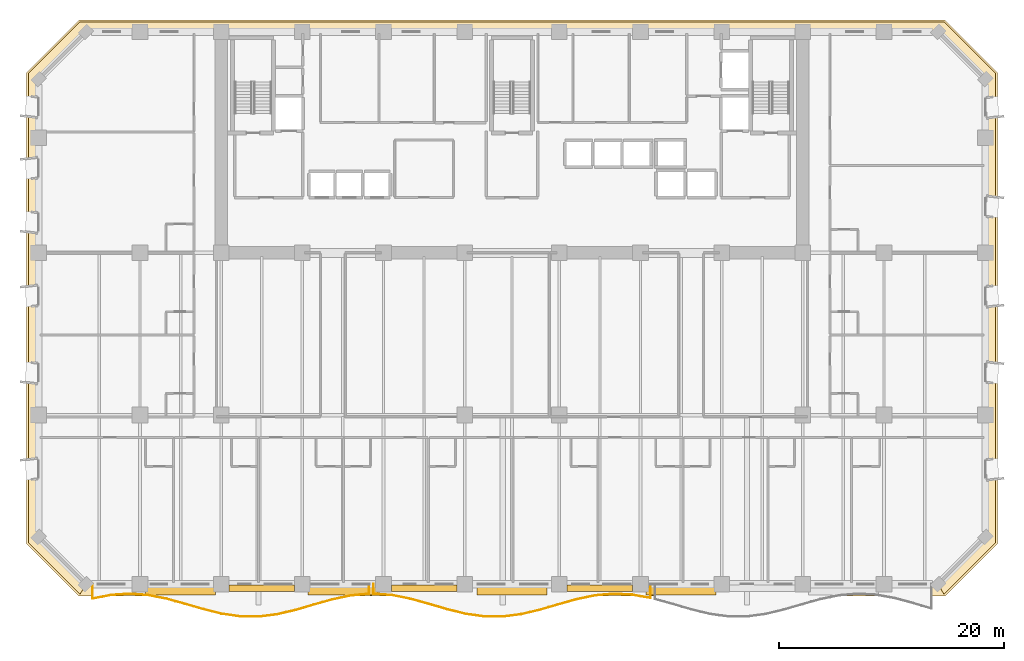
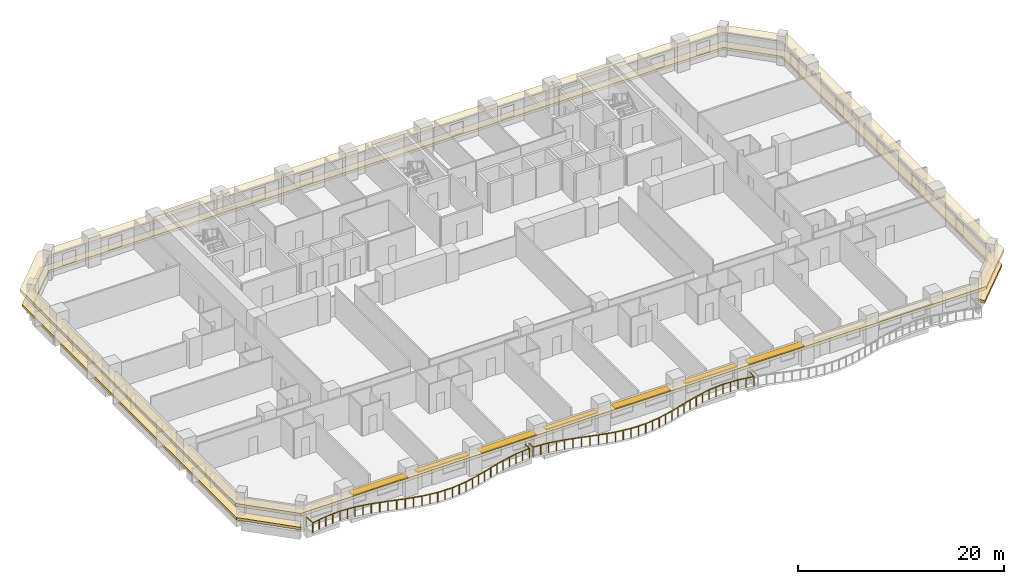
# One storey, part 12 of 15: 7 shading devices, 2 coverings, 2 railings.
"""IFC4 building model written with IfcOpenShell, lengths in metres."""

from ifc_helpers import new_model, si_unit, direction, frame, origin, origin_2d, place, context, subcontext, project, spatial, polyline, rectangle, outline, extrude, material, layer, layer_set, type_object, element, save


model = new_model("IFC4")

# Units and contexts
model_context = context("Model", 3, precision=1e-05, world=origin(), true_north=direction((0.0, 1.0)))
body_context = subcontext(model_context, "Body", "Model", "MODEL_VIEW")
ifc_project = project(units=[si_unit("LENGTHUNIT", "METRE"), si_unit("AREAUNIT", "SQUARE_METRE"), si_unit("VOLUMEUNIT", "CUBIC_METRE"), si_unit("PLANEANGLEUNIT", "RADIAN"), si_unit("MASSUNIT", "GRAM", prefix="KILO")], contexts=[model_context])

# Site, building, storey
site_placement = place(None, origin())
site = spatial("IfcSite", under=ifc_project, at=site_placement, CompositionType="ELEMENT")
building_placement = place(site_placement, origin())
building = spatial("IfcBuilding", under=site, at=building_placement, Name="Kaelvorn Grand Hotel", CompositionType="ELEMENT")
storey_placement = place(building_placement, frame((0.0, 0.0, 61.39990234375)))
storey = spatial("IfcBuildingStorey", under=building, at=storey_placement, Name="L13", CompositionType="ELEMENT", Elevation=61.39990234375)

# Coverings
ifc_material_1 = material(Name="Precast concrete C45/55", Category="concrete")
ifc_layer_1 = layer(ifc_material_1, 0.260009765625)
ifc_layer_set_1 = layer_set([ifc_layer_1], Name="Precast concrete C45/55")
covering_type_1 = type_object("IfcCoveringType", Name="COV-BAND-STREAMLINE-HEAD", PredefinedType="CLADDING", material=ifc_layer_set_1)
covering_1_placement = place(storey_placement, frame((0.0, 0.0, 2.18017578125)))
element("IfcCovering", 1, at=covering_1_placement, inside=storey, type_object=covering_type_1, Name="L13 Streamline Moderne Wraparound Horizontal Eyebrow Band", PredefinedType="CLADDING", context=body_context, shape_type="SweptSolid", body=[
    extrude(outline(polyline([(3.590087890625, -1.050048828125), (80.409912109375, -1.050048828125), (85.050048828125, 3.590087890625), (85.050048828125, 45.409912109375), (80.409912109375, 50.050048828125), (3.590087890625, 50.050048828125), (-1.050048828125, 45.409912109375), (-1.050048828125, 3.590087890625), (3.590087890625, -1.050048828125)]), holes=[polyline([(4.219970703125, 0.030029296875), (79.780029296875, 0.030029296875), (83.969970703125, 4.219970703125), (83.969970703125, 44.780029296875), (79.780029296875, 48.969970703125), (4.219970703125, 48.969970703125), (0.030029296875, 44.780029296875), (0.030029296875, 4.219970703125), (4.219970703125, 0.030029296875)])]), origin(), (0.0, 0.0, 1.0), 0.35986328125),
])
ifc_layer_2 = layer(ifc_material_1, 0.219970703125)
ifc_layer_set_2 = layer_set([ifc_layer_2], Name="Precast concrete C45/55")
covering_type_2 = type_object("IfcCoveringType", Name="COV-BAND-STREAMLINE-SILL", PredefinedType="CLADDING", material=ifc_layer_set_2)
covering_2_placement = place(storey_placement, frame((0.0, 0.0, 0.4501953125)))
element("IfcCovering", 2, at=covering_2_placement, inside=storey, type_object=covering_type_2, Name="L13 Streamline Moderne Wraparound Horizontal Sill Spandrel Band", PredefinedType="CLADDING", context=body_context, shape_type="SweptSolid", body=[
    extrude(outline(polyline([(80.3154296875, -0.8798828125), (84.8798828125, 3.6845703125), (84.8798828125, 45.3154296875), (80.3154296875, 49.8798828125), (3.6845703125, 49.8798828125), (-0.8798828125, 45.3154296875), (-0.8798828125, 3.6845703125), (3.6845703125, -0.8798828125), (4.217529296875, 0.030029296875), (0.030029296875, 4.217529296875), (0.030029296875, 44.782470703125), (4.217529296875, 48.969970703125), (79.782470703125, 48.969970703125), (83.969970703125, 44.782470703125), (83.969970703125, 4.217529296875), (79.782470703125, 0.030029296875), (80.3154296875, -0.8798828125)])), origin(), (0.0, 0.0, 1.0), 0.2998046875),
])

# Railings
ifc_material_2 = material(Name="Stainless Steel", Category="steel")
railing_type = type_object("IfcRailingType", Name="RL-BALC-1150", PredefinedType="BALUSTRADE", material=ifc_material_2)
railing_1_placement = place(storey_placement, frame((4.800048828125, 0.0, 0.0)))
element("IfcRailing", 3, at=railing_1_placement, inside=storey, type_object=railing_type, Name="L13 Scalloped Wave Balcony Balustrade GR1-1", PredefinedType="BALUSTRADE", context=body_context, shape_type="SweptSolid", body=[
    extrude(rectangle(XDim=0.048095703125, YDim=0.048095703125, at=origin_2d()), frame((0.0, 0.0, 1.1259765625), z_axis=(0.0, -1.0, 0.0), x_axis=(1.0, 0.0, 0.0)), (0.0, 0.0, 1.0), 1.2724609375),
    extrude(rectangle(XDim=0.048095703125, YDim=0.048095703125, at=origin_2d()), frame((0.0, -1.2724609375, 1.1259765625), z_axis=(0.982203562984, 0.1878194901, 0.0), x_axis=(-0.1878194901, 0.982203562984, 0.0)), (0.0, 0.0, 1.0), 1.6650390625),
    extrude(rectangle(XDim=0.048095703125, YDim=0.048095703125, at=origin_2d()), frame((1.635498046875, -0.959716796875, 1.1259765625), z_axis=(0.997761369143, 0.066874885019, 0.0), x_axis=(-0.066874885019, 0.997761369143, 0.0)), (0.0, 0.0, 1.0), 1.63916015625),
    extrude(rectangle(XDim=0.048095703125, YDim=0.048095703125, at=origin_2d()), frame((3.27099609375, -0.85009765625, 1.1259765625), z_axis=(0.997411632493, -0.071902957984, 0.0), x_axis=(0.071902957984, 0.997411632493, 0.0)), (0.0, 0.0, 1.0), 1.639892578125),
    extrude(rectangle(XDim=0.048095703125, YDim=0.048095703125, at=origin_2d()), frame((4.90673828125, -0.968017578125, 1.1259765625), z_axis=(0.981438838615, -0.191775405247, 0.0), x_axis=(0.191775405247, 0.981438838615, 0.0)), (0.0, 0.0, 1.0), 1.66650390625),
    extrude(rectangle(XDim=0.048095703125, YDim=0.048095703125, at=origin_2d()), frame((6.542236328125, -1.28759765625, 1.1259765625), z_axis=(0.96417686915, -0.265260183586, 0.0), x_axis=(0.265260183586, 0.96417686915, 0.0)), (0.0, 0.0, 1.0), 1.6962890625),
    extrude(rectangle(XDim=0.048095703125, YDim=0.048095703125, at=origin_2d()), frame((8.177734375, -1.737548828125, 1.1259765625), z_axis=(0.959454398454, -0.281863898516, 0.0), x_axis=(0.281863898516, 0.959454398454, 0.0)), (0.0, 0.0, 1.0), 1.70458984375),
    extrude(rectangle(XDim=0.048095703125, YDim=0.048095703125, at=origin_2d()), frame((9.813232421875, -2.218017578125, 1.1259765625), z_axis=(0.970778455787, -0.239977477651, 0.0), x_axis=(0.239977477651, 0.970778455787, 0.0)), (0.0, 0.0, 1.0), 1.684814453125),
    extrude(rectangle(XDim=0.048095703125, YDim=0.048095703125, at=origin_2d()), frame((11.44873046875, -2.622314453125, 1.1259765625), z_axis=(0.98955581649, -0.144150220432, 0.0), x_axis=(0.144150220432, 0.98955581649, 0.0)), (0.0, 0.0, 1.0), 1.653076171875),
    extrude(rectangle(XDim=0.048095703125, YDim=0.048095703125, at=origin_2d()), frame((13.08447265625, -2.860595703125, 1.1259765625), z_axis=(0.999928700978, -0.011941229449, 0.0), x_axis=(0.011941229449, 0.999928700978, 0.0)), (0.0, 0.0, 1.0), 1.635498046875),
    extrude(rectangle(XDim=0.048095703125, YDim=0.048095703125, at=origin_2d()), frame((14.719970703125, -2.880126953125, 1.1259765625), z_axis=(0.992302924099, 0.123834190856, 0.0), x_axis=(-0.123834190856, 0.992302924099, 0.0)), (0.0, 0.0, 1.0), 1.648193359375),
    extrude(rectangle(XDim=0.048095703125, YDim=0.048095703125, at=origin_2d()), frame((16.35546875, -2.676025390625, 1.1259765625), z_axis=(0.973844426508, 0.227215829024, 0.0), x_axis=(-0.227215829024, 0.973844426508, 0.0)), (0.0, 0.0, 1.0), 1.679443359375),
    extrude(rectangle(XDim=0.048095703125, YDim=0.048095703125, at=origin_2d()), frame((17.990966796875, -2.29443359375, 1.1259765625), z_axis=(0.960314032901, 0.278921060899, 0.0), x_axis=(-0.278921060899, 0.960314032901, 0.0)), (0.0, 0.0, 1.0), 1.703369140625),
    extrude(rectangle(XDim=0.048095703125, YDim=0.048095703125, at=origin_2d()), frame((19.626708984375, -1.8193359375, 1.1259765625), z_axis=(0.962241545122, 0.272197003733, 0.0), x_axis=(-0.272197003733, 0.962241545122, 0.0)), (0.0, 0.0, 1.0), 1.69970703125),
    extrude(rectangle(XDim=0.048095703125, YDim=0.048095703125, at=origin_2d()), frame((21.26220703125, -1.356689453125, 1.1259765625), z_axis=(0.978174805455, 0.207783661466, 0.0), x_axis=(-0.207783661466, 0.978174805455, 0.0)), (0.0, 0.0, 1.0), 1.671875),
    extrude(rectangle(XDim=0.048095703125, YDim=0.048095703125, at=origin_2d()), frame((22.897705078125, -1.00927734375, 1.1259765625), z_axis=(0.995523480824, 0.09451454453, 0.0), x_axis=(-0.09451454453, 0.995523480824, 0.0)), (0.0, 0.0, 1.0), 1.642822265625),
    extrude(rectangle(XDim=0.048095703125, YDim=0.048095703125, at=origin_2d()), frame((24.533203125, -0.85400390625, 1.1259765625), z_axis=(0.0, 1.0, 0.0), x_axis=(-1.0, 0.0, 0.0)), (0.0, 0.0, 1.0), 0.85400390625),
    extrude(rectangle(XDim=0.0419921875, YDim=0.0419921875, at=origin_2d()), origin(), (0.0, 0.0, 1.0), 1.101806640625),
    extrude(rectangle(XDim=0.0419921875, YDim=0.0419921875, at=origin_2d()), frame((0.0, -1.2724609375, 0.0)), (0.0, 0.0, 1.0), 1.101806640625),
    extrude(rectangle(XDim=0.0419921875, YDim=0.0419921875, at=origin_2d()), frame((0.81787109375, -1.1162109375, 0.0)), (0.0, 0.0, 1.0), 1.101806640625),
    extrude(rectangle(XDim=0.0419921875, YDim=0.0419921875, at=origin_2d()), frame((1.635498046875, -0.959716796875, 0.0)), (0.0, 0.0, 1.0), 1.101806640625),
    extrude(rectangle(XDim=0.0419921875, YDim=0.0419921875, at=origin_2d()), frame((2.453125, -0.90478515625, 0.0)), (0.0, 0.0, 1.0), 1.101806640625),
    extrude(rectangle(XDim=0.0419921875, YDim=0.0419921875, at=origin_2d()), frame((3.27099609375, -0.85009765625, 0.0)), (0.0, 0.0, 1.0), 1.101806640625),
    extrude(rectangle(XDim=0.0419921875, YDim=0.0419921875, at=origin_2d()), frame((4.0888671875, -0.9091796875, 0.0)), (0.0, 0.0, 1.0), 1.101806640625),
    extrude(rectangle(XDim=0.0419921875, YDim=0.0419921875, at=origin_2d()), frame((4.90673828125, -0.968017578125, 0.0)), (0.0, 0.0, 1.0), 1.101806640625),
    extrude(rectangle(XDim=0.0419921875, YDim=0.0419921875, at=origin_2d()), frame((5.724609375, -1.1279296875, 0.0)), (0.0, 0.0, 1.0), 1.101806640625),
    extrude(rectangle(XDim=0.0419921875, YDim=0.0419921875, at=origin_2d()), frame((6.542236328125, -1.28759765625, 0.0)), (0.0, 0.0, 1.0), 1.101806640625),
    extrude(rectangle(XDim=0.0419921875, YDim=0.0419921875, at=origin_2d()), frame((7.35986328125, -1.5126953125, 0.0)), (0.0, 0.0, 1.0), 1.101806640625),
    extrude(rectangle(XDim=0.0419921875, YDim=0.0419921875, at=origin_2d()), frame((8.177734375, -1.737548828125, 0.0)), (0.0, 0.0, 1.0), 1.101806640625),
    extrude(rectangle(XDim=0.0419921875, YDim=0.0419921875, at=origin_2d()), frame((8.99560546875, -1.977783203125, 0.0)), (0.0, 0.0, 1.0), 1.101806640625),
    extrude(rectangle(XDim=0.0419921875, YDim=0.0419921875, at=origin_2d()), frame((9.813232421875, -2.218017578125, 0.0)), (0.0, 0.0, 1.0), 1.101806640625),
    extrude(rectangle(XDim=0.0419921875, YDim=0.0419921875, at=origin_2d()), frame((10.630859375, -2.420166015625, 0.0)), (0.0, 0.0, 1.0), 1.101806640625),
    extrude(rectangle(XDim=0.0419921875, YDim=0.0419921875, at=origin_2d()), frame((11.44873046875, -2.622314453125, 0.0)), (0.0, 0.0, 1.0), 1.101806640625),
    extrude(rectangle(XDim=0.0419921875, YDim=0.0419921875, at=origin_2d()), frame((12.2666015625, -2.741455078125, 0.0)), (0.0, 0.0, 1.0), 1.101806640625),
    extrude(rectangle(XDim=0.0419921875, YDim=0.0419921875, at=origin_2d()), frame((13.08447265625, -2.860595703125, 0.0)), (0.0, 0.0, 1.0), 1.101806640625),
    extrude(rectangle(XDim=0.0419921875, YDim=0.0419921875, at=origin_2d()), frame((13.90234375, -2.870361328125, 0.0)), (0.0, 0.0, 1.0), 1.101806640625),
    extrude(rectangle(XDim=0.0419921875, YDim=0.0419921875, at=origin_2d()), frame((14.719970703125, -2.880126953125, 0.0)), (0.0, 0.0, 1.0), 1.101806640625),
    extrude(rectangle(XDim=0.0419921875, YDim=0.0419921875, at=origin_2d()), frame((15.53759765625, -2.778076171875, 0.0)), (0.0, 0.0, 1.0), 1.101806640625),
    extrude(rectangle(XDim=0.0419921875, YDim=0.0419921875, at=origin_2d()), frame((16.35546875, -2.676025390625, 0.0)), (0.0, 0.0, 1.0), 1.101806640625),
    extrude(rectangle(XDim=0.0419921875, YDim=0.0419921875, at=origin_2d()), frame((17.17333984375, -2.4853515625, 0.0)), (0.0, 0.0, 1.0), 1.101806640625),
    extrude(rectangle(XDim=0.0419921875, YDim=0.0419921875, at=origin_2d()), frame((17.990966796875, -2.29443359375, 0.0)), (0.0, 0.0, 1.0), 1.101806640625),
    extrude(rectangle(XDim=0.0419921875, YDim=0.0419921875, at=origin_2d()), frame((18.808837890625, -2.056884765625, 0.0)), (0.0, 0.0, 1.0), 1.101806640625),
    extrude(rectangle(XDim=0.0419921875, YDim=0.0419921875, at=origin_2d()), frame((19.626708984375, -1.8193359375, 0.0)), (0.0, 0.0, 1.0), 1.101806640625),
    extrude(rectangle(XDim=0.0419921875, YDim=0.0419921875, at=origin_2d()), frame((20.4443359375, -1.587890625, 0.0)), (0.0, 0.0, 1.0), 1.101806640625),
    extrude(rectangle(XDim=0.0419921875, YDim=0.0419921875, at=origin_2d()), frame((21.26220703125, -1.356689453125, 0.0)), (0.0, 0.0, 1.0), 1.101806640625),
    extrude(rectangle(XDim=0.0419921875, YDim=0.0419921875, at=origin_2d()), frame((22.080078125, -1.18310546875, 0.0)), (0.0, 0.0, 1.0), 1.101806640625),
    extrude(rectangle(XDim=0.0419921875, YDim=0.0419921875, at=origin_2d()), frame((22.897705078125, -1.00927734375, 0.0)), (0.0, 0.0, 1.0), 1.101806640625),
    extrude(rectangle(XDim=0.0419921875, YDim=0.0419921875, at=origin_2d()), frame((23.71533203125, -0.931640625, 0.0)), (0.0, 0.0, 1.0), 1.101806640625),
    extrude(rectangle(XDim=0.0419921875, YDim=0.0419921875, at=origin_2d()), frame((24.533203125, -0.85400390625, 0.0)), (0.0, 0.0, 1.0), 1.101806640625),
    extrude(rectangle(XDim=0.0419921875, YDim=0.0419921875, at=origin_2d()), frame((24.533203125, 0.0, 0.0)), (0.0, 0.0, 1.0), 1.101806640625),
])
railing_2_placement = place(storey_placement, frame((29.7333984375, 0.0, 0.0)))
element("IfcRailing", 4, at=railing_2_placement, inside=storey, type_object=railing_type, Name="L13 Scalloped Wave Balcony Balustrade GR1-2", PredefinedType="BALUSTRADE", context=body_context, shape_type="SweptSolid", body=[
    extrude(rectangle(XDim=0.048095703125, YDim=0.048095703125, at=origin_2d()), frame((0.0, 0.0, 1.1259765625), z_axis=(0.0, -1.0, 0.0), x_axis=(1.0, 0.0, 0.0)), (0.0, 0.0, 1.0), 0.850341796875),
    extrude(rectangle(XDim=0.048095703125, YDim=0.048095703125, at=origin_2d()), frame((0.0, -0.850341796875, 1.1259765625), z_axis=(0.997023764101, -0.077094836514, 0.0), x_axis=(0.077094836514, 0.997023764101, 0.0)), (0.0, 0.0, 1.0), 1.640380859375),
    extrude(rectangle(XDim=0.048095703125, YDim=0.048095703125, at=origin_2d()), frame((1.635498046875, -0.976806640625, 1.1259765625), z_axis=(0.980687509387, -0.195581208022, 0.0), x_axis=(0.195581208022, 0.980687509387, 0.0)), (0.0, 0.0, 1.0), 1.667724609375),
    extrude(rectangle(XDim=0.048095703125, YDim=0.048095703125, at=origin_2d()), frame((3.27099609375, -1.302978515625, 1.1259765625), z_axis=(0.963696999215, -0.266998302813, 0.0), x_axis=(0.266998302813, 0.963696999215, 0.0)), (0.0, 0.0, 1.0), 1.697021484375),
    extrude(rectangle(XDim=0.048095703125, YDim=0.048095703125, at=origin_2d()), frame((4.906494140625, -1.756103515625, 1.1259765625), z_axis=(0.959620545058, -0.281297723954, 0.0), x_axis=(0.281297723954, 0.959620545058, 0.0)), (0.0, 0.0, 1.0), 1.70458984375),
    extrude(rectangle(XDim=0.048095703125, YDim=0.048095703125, at=origin_2d()), frame((6.542236328125, -2.235595703125, 1.1259765625), z_axis=(0.971450272651, -0.237243267063, 0.0), x_axis=(0.237243267063, 0.971450272651, 0.0)), (0.0, 0.0, 1.0), 1.68359375),
    extrude(rectangle(XDim=0.048095703125, YDim=0.048095703125, at=origin_2d()), frame((8.177734375, -2.635009765625, 1.1259765625), z_axis=(0.990216726889, -0.139537929569, 0.0), x_axis=(0.139537929569, 0.990216726889, 0.0)), (0.0, 0.0, 1.0), 1.651611328125),
    extrude(rectangle(XDim=0.048095703125, YDim=0.048095703125, at=origin_2d()), frame((9.813232421875, -2.865478515625, 1.1259765625), z_axis=(0.999978430437, -0.006568002827, 0.0), x_axis=(0.006568002827, 0.999978430437, 0.0)), (0.0, 0.0, 1.0), 1.635498046875),
    extrude(rectangle(XDim=0.048095703125, YDim=0.048095703125, at=origin_2d()), frame((11.44873046875, -2.876220703125, 1.1259765625), z_axis=(0.991731137416, 0.128332969573, 0.0), x_axis=(-0.128332969573, 0.991731137416, 0.0)), (0.0, 0.0, 1.0), 1.6494140625),
    extrude(rectangle(XDim=0.048095703125, YDim=0.048095703125, at=origin_2d()), frame((13.08447265625, -2.66455078125, 1.1259765625), z_axis=(0.973100001254, 0.230383132108, 0.0), x_axis=(-0.230383132108, 0.973100001254, 0.0)), (0.0, 0.0, 1.0), 1.6806640625),
    extrude(rectangle(XDim=0.048095703125, YDim=0.048095703125, at=origin_2d()), frame((14.719970703125, -2.27734375, 1.1259765625), z_axis=(0.960072199194, 0.27975234107, 0.0), x_axis=(-0.27975234107, 0.960072199194, 0.0)), (0.0, 0.0, 1.0), 1.70361328125),
    extrude(rectangle(XDim=0.048095703125, YDim=0.048095703125, at=origin_2d()), frame((16.35546875, -1.80078125, 1.1259765625), z_axis=(0.962654451324, 0.270733092446, 0.0), x_axis=(-0.270733092446, 0.962654451324, 0.0)), (0.0, 0.0, 1.0), 1.698974609375),
    extrude(rectangle(XDim=0.048095703125, YDim=0.048095703125, at=origin_2d()), frame((17.990966796875, -1.3408203125, 1.1259765625), z_axis=(0.97891716502, 0.204257641298, 0.0), x_axis=(-0.204257641298, 0.97891716502, 0.0)), (0.0, 0.0, 1.0), 1.6708984375),
    extrude(rectangle(XDim=0.048095703125, YDim=0.048095703125, at=origin_2d()), frame((19.626708984375, -0.99951171875, 1.1259765625), z_axis=(0.9959865086, 0.089503489801, 0.0), x_axis=(-0.089503489801, 0.9959865086, 0.0)), (0.0, 0.0, 1.0), 1.64208984375),
    extrude(rectangle(XDim=0.048095703125, YDim=0.048095703125, at=origin_2d()), frame((21.26220703125, -0.8525390625, 1.1259765625), z_axis=(0.998796192394, -0.049052686565, 0.0), x_axis=(0.049052686565, 0.998796192394, 0.0)), (0.0, 0.0, 1.0), 1.637451171875),
    extrude(rectangle(XDim=0.048095703125, YDim=0.048095703125, at=origin_2d()), frame((22.897705078125, -0.932861328125, 1.1259765625), z_axis=(0.984712445929, -0.174187826306, 0.0), x_axis=(0.174187826306, 0.984712445929, 0.0)), (0.0, 0.0, 1.0), 1.660888671875),
    extrude(rectangle(XDim=0.048095703125, YDim=0.048095703125, at=origin_2d()), frame((24.533203125, -1.22216796875, 1.1259765625), z_axis=(0.0, 1.0, 0.0), x_axis=(-1.0, 0.0, 0.0)), (0.0, 0.0, 1.0), 1.22216796875),
    extrude(rectangle(XDim=0.0419921875, YDim=0.0419921875, at=origin_2d()), origin(), (0.0, 0.0, 1.0), 1.101806640625),
    extrude(rectangle(XDim=0.0419921875, YDim=0.0419921875, at=origin_2d()), frame((0.0, -0.850341796875, 0.0)), (0.0, 0.0, 1.0), 1.101806640625),
    extrude(rectangle(XDim=0.0419921875, YDim=0.0419921875, at=origin_2d()), frame((0.81787109375, -0.91357421875, 0.0)), (0.0, 0.0, 1.0), 1.101806640625),
    extrude(rectangle(XDim=0.0419921875, YDim=0.0419921875, at=origin_2d()), frame((1.635498046875, -0.976806640625, 0.0)), (0.0, 0.0, 1.0), 1.101806640625),
    extrude(rectangle(XDim=0.0419921875, YDim=0.0419921875, at=origin_2d()), frame((2.453125, -1.139892578125, 0.0)), (0.0, 0.0, 1.0), 1.101806640625),
    extrude(rectangle(XDim=0.0419921875, YDim=0.0419921875, at=origin_2d()), frame((3.27099609375, -1.302978515625, 0.0)), (0.0, 0.0, 1.0), 1.101806640625),
    extrude(rectangle(XDim=0.0419921875, YDim=0.0419921875, at=origin_2d()), frame((4.0888671875, -1.529541015625, 0.0)), (0.0, 0.0, 1.0), 1.101806640625),
    extrude(rectangle(XDim=0.0419921875, YDim=0.0419921875, at=origin_2d()), frame((4.906494140625, -1.756103515625, 0.0)), (0.0, 0.0, 1.0), 1.101806640625),
    extrude(rectangle(XDim=0.0419921875, YDim=0.0419921875, at=origin_2d()), frame((5.724365234375, -1.995849609375, 0.0)), (0.0, 0.0, 1.0), 1.101806640625),
    extrude(rectangle(XDim=0.0419921875, YDim=0.0419921875, at=origin_2d()), frame((6.542236328125, -2.235595703125, 0.0)), (0.0, 0.0, 1.0), 1.101806640625),
    extrude(rectangle(XDim=0.0419921875, YDim=0.0419921875, at=origin_2d()), frame((7.35986328125, -2.435302734375, 0.0)), (0.0, 0.0, 1.0), 1.101806640625),
    extrude(rectangle(XDim=0.0419921875, YDim=0.0419921875, at=origin_2d()), frame((8.177734375, -2.635009765625, 0.0)), (0.0, 0.0, 1.0), 1.101806640625),
    extrude(rectangle(XDim=0.0419921875, YDim=0.0419921875, at=origin_2d()), frame((8.99560546875, -2.750244140625, 0.0)), (0.0, 0.0, 1.0), 1.101806640625),
    extrude(rectangle(XDim=0.0419921875, YDim=0.0419921875, at=origin_2d()), frame((9.813232421875, -2.865478515625, 0.0)), (0.0, 0.0, 1.0), 1.101806640625),
    extrude(rectangle(XDim=0.0419921875, YDim=0.0419921875, at=origin_2d()), frame((10.630859375, -2.870849609375, 0.0)), (0.0, 0.0, 1.0), 1.101806640625),
    extrude(rectangle(XDim=0.0419921875, YDim=0.0419921875, at=origin_2d()), frame((11.44873046875, -2.876220703125, 0.0)), (0.0, 0.0, 1.0), 1.101806640625),
    extrude(rectangle(XDim=0.0419921875, YDim=0.0419921875, at=origin_2d()), frame((12.2666015625, -2.7705078125, 0.0)), (0.0, 0.0, 1.0), 1.101806640625),
    extrude(rectangle(XDim=0.0419921875, YDim=0.0419921875, at=origin_2d()), frame((13.08447265625, -2.66455078125, 0.0)), (0.0, 0.0, 1.0), 1.101806640625),
    extrude(rectangle(XDim=0.0419921875, YDim=0.0419921875, at=origin_2d()), frame((13.90234375, -2.470947265625, 0.0)), (0.0, 0.0, 1.0), 1.101806640625),
    extrude(rectangle(XDim=0.0419921875, YDim=0.0419921875, at=origin_2d()), frame((14.719970703125, -2.27734375, 0.0)), (0.0, 0.0, 1.0), 1.101806640625),
    extrude(rectangle(XDim=0.0419921875, YDim=0.0419921875, at=origin_2d()), frame((15.53759765625, -2.0390625, 0.0)), (0.0, 0.0, 1.0), 1.101806640625),
    extrude(rectangle(XDim=0.0419921875, YDim=0.0419921875, at=origin_2d()), frame((16.35546875, -1.80078125, 0.0)), (0.0, 0.0, 1.0), 1.101806640625),
    extrude(rectangle(XDim=0.0419921875, YDim=0.0419921875, at=origin_2d()), frame((17.17333984375, -1.57080078125, 0.0)), (0.0, 0.0, 1.0), 1.101806640625),
    extrude(rectangle(XDim=0.0419921875, YDim=0.0419921875, at=origin_2d()), frame((17.990966796875, -1.3408203125, 0.0)), (0.0, 0.0, 1.0), 1.101806640625),
    extrude(rectangle(XDim=0.0419921875, YDim=0.0419921875, at=origin_2d()), frame((18.808837890625, -1.170166015625, 0.0)), (0.0, 0.0, 1.0), 1.101806640625),
    extrude(rectangle(XDim=0.0419921875, YDim=0.0419921875, at=origin_2d()), frame((19.626708984375, -0.99951171875, 0.0)), (0.0, 0.0, 1.0), 1.101806640625),
    extrude(rectangle(XDim=0.0419921875, YDim=0.0419921875, at=origin_2d()), frame((20.4443359375, -0.926025390625, 0.0)), (0.0, 0.0, 1.0), 1.101806640625),
    extrude(rectangle(XDim=0.0419921875, YDim=0.0419921875, at=origin_2d()), frame((21.26220703125, -0.8525390625, 0.0)), (0.0, 0.0, 1.0), 1.101806640625),
    extrude(rectangle(XDim=0.0419921875, YDim=0.0419921875, at=origin_2d()), frame((22.080078125, -0.892578125, 0.0)), (0.0, 0.0, 1.0), 1.101806640625),
    extrude(rectangle(XDim=0.0419921875, YDim=0.0419921875, at=origin_2d()), frame((22.897705078125, -0.932861328125, 0.0)), (0.0, 0.0, 1.0), 1.101806640625),
    extrude(rectangle(XDim=0.0419921875, YDim=0.0419921875, at=origin_2d()), frame((23.71533203125, -1.07763671875, 0.0)), (0.0, 0.0, 1.0), 1.101806640625),
    extrude(rectangle(XDim=0.0419921875, YDim=0.0419921875, at=origin_2d()), frame((24.533203125, -1.22216796875, 0.0)), (0.0, 0.0, 1.0), 1.101806640625),
    extrude(rectangle(XDim=0.0419921875, YDim=0.0419921875, at=origin_2d()), frame((24.533203125, 0.0, 0.0)), (0.0, 0.0, 1.0), 1.101806640625),
])

# Shading devices
ifc_layer_3 = layer(ifc_material_1, 0.1201171875)
ifc_layer_set_3 = layer_set([ifc_layer_3], Name="Precast concrete C45/55")
shading_device_type_1 = type_object("IfcShadingDeviceType", Name="SHD-SUNSHADE-550", PredefinedType="USERDEFINED", material=ifc_layer_set_3)
for number, where, z_axis, x_axis, name in (
    (5, (19.800048828125, -0.364990234375, 2.419921875), (0.0, 0.0, 1.0), (1.0, 0.0, 0.0), "L13 Horizontal Concrete Sunshade Band SS-03"),
    (6, (34.199951171875, -0.364990234375, 2.419921875), (0.0, 0.0, 1.0), (1.0, 0.0, 0.0), "L13 Horizontal Concrete Sunshade Band SS-05"),
    (7, (49.800048828125, -0.364990234375, 2.419921875), (0.0, 0.0, 1.0), (1.0, 0.0, 0.0), "L13 Horizontal Concrete Sunshade Band SS-07"),
):
    element("IfcShadingDevice", number, at=place(storey_placement, frame(where, z_axis=z_axis, x_axis=x_axis)), inside=storey, type_object=shading_device_type_1, Name=name, ObjectType="SUNSHADE", PredefinedType="USERDEFINED", context=body_context, shape_type="SweptSolid", body=[
        extrude(rectangle(XDim=5.800048828125, YDim=0.550048828125, at=origin_2d()), origin(), (0.0, 0.0, 1.0), 0.1201171875),
    ])
ifc_layer_4 = layer(ifc_material_1, 0.139892578125)
ifc_layer_set_4 = layer_set([ifc_layer_4], Name="Precast concrete C45/55")
shading_device_type_2 = type_object("IfcShadingDeviceType", Name="SHD-SUNSHADE-850", PredefinedType="USERDEFINED", material=ifc_layer_set_4)
for number, where, z_axis, x_axis, name in (
    (8, (12.60009765625, -0.514892578125, 2.41015625), (0.0, 0.0, 1.0), (1.0, 0.0, 0.0), "L13 Horizontal Concrete Sunshade Band SS-02"),
    (9, (27.0, -0.514892578125, 2.41015625), (0.0, 0.0, 1.0), (1.0, 0.0, 0.0), "L13 Horizontal Concrete Sunshade Band SS-04"),
    (10, (42.0, -0.514892578125, 2.41015625), (0.0, 0.0, 1.0), (1.0, 0.0, 0.0), "L13 Horizontal Concrete Sunshade Band SS-06"),
    (11, (57.0, -0.514892578125, 2.41015625), (0.0, 0.0, 1.0), (1.0, 0.0, 0.0), "L13 Horizontal Concrete Sunshade Band SS-08"),
):
    element("IfcShadingDevice", number, at=place(storey_placement, frame(where, z_axis=z_axis, x_axis=x_axis)), inside=storey, type_object=shading_device_type_2, Name=name, ObjectType="SUNSHADE", PredefinedType="USERDEFINED", context=body_context, shape_type="SweptSolid", body=[
        extrude(rectangle(XDim=6.199951171875, YDim=0.85009765625, at=origin_2d()), origin(), (0.0, 0.0, 1.0), 0.139892578125),
    ])

save(model, "model.ifc")
